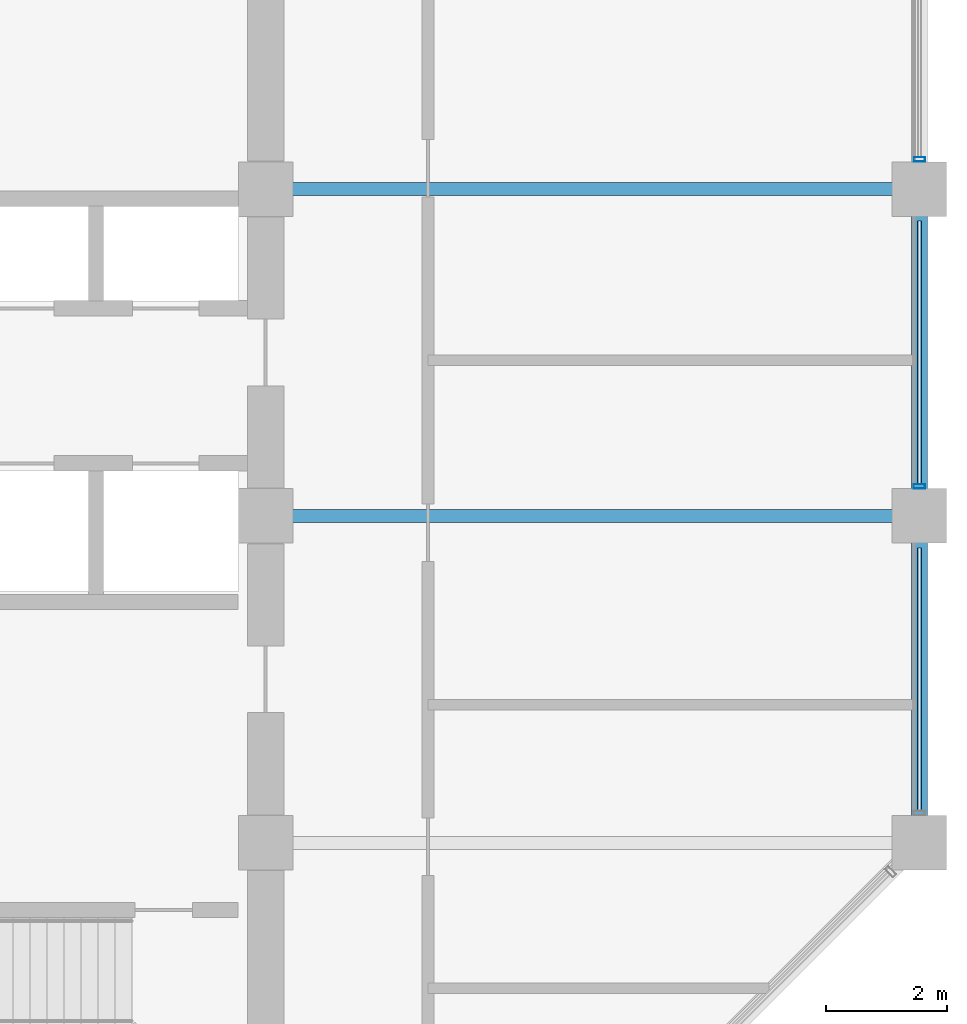
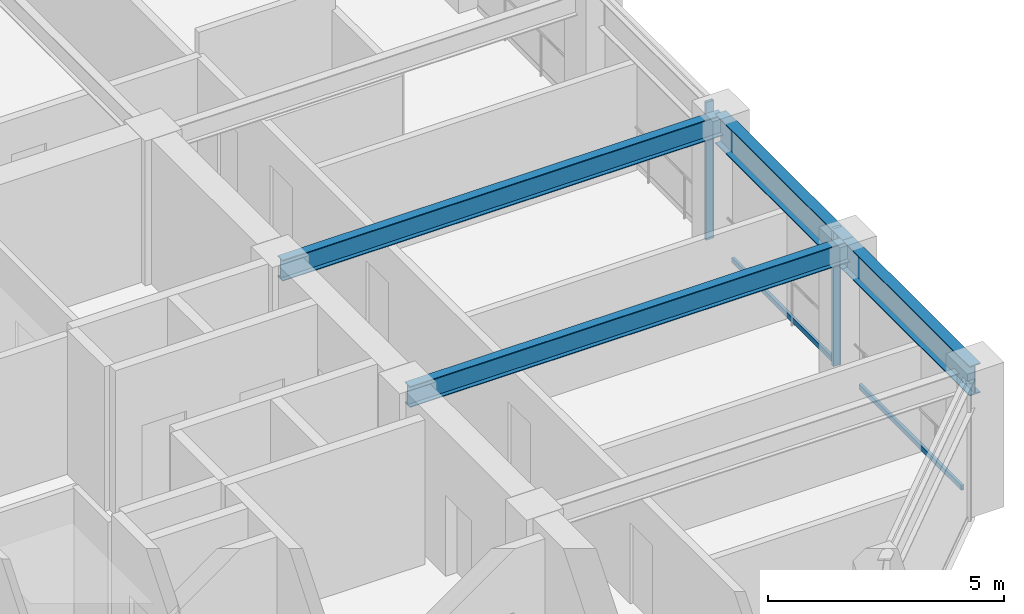
# One storey, part 13 of 36: 4 beams, 4 members, 1 element without a shape of its own.
"""IFC4 building model written with IfcOpenShell, lengths in metres."""

from ifc_helpers import new_model, si_unit, direction, frame, origin, origin_2d, place, context, subcontext, project, spatial, hollow_rectangle, i_section, extrude, material, layer, layer_set, material_profile, profile_set, type_object, element, aggregate, save


model = new_model("IFC4")

# Units and contexts
model_context = context("Model", 3, precision=1e-05, world=origin(), true_north=direction((0.0, 1.0)))
body_context = subcontext(model_context, "Body", "Model", "MODEL_VIEW")
ifc_project = project(units=[si_unit("LENGTHUNIT", "METRE"), si_unit("AREAUNIT", "SQUARE_METRE"), si_unit("VOLUMEUNIT", "CUBIC_METRE"), si_unit("PLANEANGLEUNIT", "RADIAN"), si_unit("MASSUNIT", "GRAM", prefix="KILO")], contexts=[model_context])

# Site, building, storey
site_placement = place(None, origin())
site = spatial("IfcSite", under=ifc_project, at=site_placement, CompositionType="ELEMENT")
building_placement = place(site_placement, origin())
building = spatial("IfcBuilding", under=site, at=building_placement, Name="Surkhivell Harbour Commons", CompositionType="ELEMENT")
storey_placement = place(building_placement, frame((0.0, 0.0, 171.0)))
storey = spatial("IfcBuildingStorey", under=building, at=storey_placement, Name="L44", CompositionType="ELEMENT", Elevation=171.0)

# Beams
ifc_material_1 = material(Name="Steel S355", Category="steel")
ifc_material_profile_1 = material_profile(ifc_material_1, i_section(OverallWidth=0.2119140625, OverallDepth=0.5439453125, WebThickness=0.0126953125, FlangeThickness=0.021240234375, at=origin_2d()), Name="UB533x210x122")
ifc_profile_set_1 = profile_set([ifc_material_profile_1], Name="Steel S355")
beam_type_1 = type_object("IfcBeamType", Name="BM-GRD-533A", PredefinedType="BEAM", material=ifc_profile_set_1)
for number, where, z_axis, x_axis, name in (
    (1, (10.800048828125, 0.0, 3.298095703125), (1.0, 0.0, 0.0), (0.0, 1.0, 0.0), "L44 Floor Girder (10.8,0.0)"),
    (2, (10.800048828125, 5.39990234375, 3.298095703125), (1.0, 0.0, 0.0), (0.0, 1.0, 0.0), "L44 Floor Girder (10.8,5.4)"),
):
    element("IfcBeam", number, at=place(storey_placement, frame(where, z_axis=z_axis, x_axis=x_axis)), inside=storey, type_object=beam_type_1, Name=name, PredefinedType="BEAM", context=body_context, shape_type="SweptSolid", body=[
        extrude(i_section(OverallWidth=0.2119140625, OverallDepth=0.5439453125, WebThickness=0.0126953125, FlangeThickness=0.021240234375, at=origin_2d()), origin(), (0.0, 0.0, 1.0), 10.800048828125),
    ])
ifc_material_profile_2 = material_profile(ifc_material_1, i_section(OverallWidth=0.26806640625, OverallDepth=0.77001953125, WebThickness=0.015625, FlangeThickness=0.025390625, at=origin_2d()), Name="UB762x267x197")
ifc_profile_set_2 = profile_set([ifc_material_profile_2], Name="Steel S355")
beam_type_2 = type_object("IfcBeamType", Name="BM-SPN-762", PredefinedType="SPANDREL", material=ifc_profile_set_2)
for number, where, z_axis, x_axis, name in (
    (3, (21.60009765625, -5.39990234375, 3.18505859375), (0.0, 1.0, 0.0), (-1.0, 0.0, 0.0), "L44 Tube Spandrel (21.6,-5.4)"),
    (4, (21.60009765625, 0.0, 3.18505859375), (0.0, 1.0, 0.0), (-1.0, 0.0, 0.0), "L44 Tube Spandrel (21.6,0.0)"),
):
    element("IfcBeam", number, at=place(storey_placement, frame(where, z_axis=z_axis, x_axis=x_axis)), inside=storey, type_object=beam_type_2, Name=name, PredefinedType="SPANDREL", context=body_context, shape_type="SweptSolid", body=[
        extrude(i_section(OverallWidth=0.26806640625, OverallDepth=0.77001953125, WebThickness=0.015625, FlangeThickness=0.025390625, at=origin_2d()), origin(), (0.0, 0.0, 1.0), 5.39990234375),
    ])

# Curtain wall, members
ifc_material_2 = material(Name="Anodised pale-metal aluminium and insulated glazing", Category="aluminium")
ifc_layer = layer(ifc_material_2, 0.18994140625)
ifc_layer_set = layer_set([ifc_layer], Name="Anodised pale-metal aluminium and insulated glazing")
curtain_wall_type = type_object("IfcCurtainWallType", Name="CW-SYS-Z3", PredefinedType="NOTDEFINED", material=ifc_layer_set)
curtain_wall_placement = place(storey_placement, origin())
curtain_wall = element("IfcCurtainWall", 5, at=curtain_wall_placement, inside=storey, type_object=curtain_wall_type, Name="L44 Curtain Wall CW-L44-E02", PredefinedType="NOTDEFINED")
ifc_material_3 = material(Name="Anodised pale-metal aluminium alloy 6063-T6", Category="aluminium")
ifc_material_profile_3 = material_profile(ifc_material_3, hollow_rectangle(XDim=0.074951171875, YDim=0.18994140625, WallThickness=0.00390625, at=origin_2d()), Name="ALU-MULL-75x190")
ifc_profile_set_3 = profile_set([ifc_material_profile_3], Name="Anodised pale-metal aluminium alloy 6063-T6")
member_type_1 = type_object("IfcMemberType", Name="CWM-190", PredefinedType="MULLION", material=ifc_profile_set_3)
member_1_placement = place(storey_placement, frame((21.60009765625, 0.489501953125, 0.0), z_axis=(0.0, 0.0, 1.0), x_axis=(0.0, 1.0, 0.0)))
member_1 = element("IfcMember", 6, at=member_1_placement, type_object=member_type_1, Name="CW-Z3 mullion 2", PredefinedType="MULLION", context=body_context, shape_type="SweptSolid", body=[
    extrude(hollow_rectangle(XDim=0.074951171875, YDim=0.18994140625, WallThickness=0.00390625, at=origin_2d()), origin(), (0.0, 0.0, 1.0), 3.570068359375),
])
member_2_placement = place(storey_placement, frame((21.60009765625, 5.889404296875, 0.0), z_axis=(0.0, 0.0, 1.0), x_axis=(0.0, 1.0, 0.0)))
member_2 = element("IfcMember", 7, at=member_2_placement, type_object=member_type_1, Name="CW-Z3 mullion 3", PredefinedType="MULLION", context=body_context, shape_type="SweptSolid", body=[
    extrude(hollow_rectangle(XDim=0.074951171875, YDim=0.18994140625, WallThickness=0.00390625, at=origin_2d()), origin(), (0.0, 0.0, 1.0), 3.570068359375),
])
ifc_material_4 = material(Name="Champagne anodised aluminium alloy 6063-T6", Category="aluminium")
ifc_material_profile_4 = material_profile(ifc_material_4, hollow_rectangle(XDim=0.070068359375, YDim=0.1298828125, WallThickness=0.00341796875, at=origin_2d()), Name="ALU-TRAN-70x130")
ifc_profile_set_4 = profile_set([ifc_material_profile_4], Name="Champagne anodised aluminium alloy 6063-T6")
member_type_2 = type_object("IfcMemberType", Name="CWT-130", PredefinedType="USERDEFINED", material=ifc_profile_set_4)
member_3_placement = place(storey_placement, frame((21.60009765625, -4.873046875, 0.06494140625), z_axis=(0.0, 1.0, 0.0), x_axis=(-1.0, 0.0, 0.0)))
member_3 = element("IfcMember", 8, at=member_3_placement, type_object=member_type_2, Name="CW-Z3 transom 1.1", ObjectType="TRANSOM", PredefinedType="USERDEFINED", context=body_context, shape_type="SweptSolid", body=[
    extrude(hollow_rectangle(XDim=0.070068359375, YDim=0.1298828125, WallThickness=0.00341796875, at=origin_2d()), origin(), (0.0, 0.0, 1.0), 4.345947265625),
])
member_4_placement = place(storey_placement, frame((21.60009765625, 0.527099609375, 0.06494140625), z_axis=(0.0, 1.0, 0.0), x_axis=(-1.0, 0.0, 0.0)))
member_4 = element("IfcMember", 9, at=member_4_placement, type_object=member_type_2, Name="CW-Z3 transom 2.1", ObjectType="TRANSOM", PredefinedType="USERDEFINED", context=body_context, shape_type="SweptSolid", body=[
    extrude(hollow_rectangle(XDim=0.070068359375, YDim=0.1298828125, WallThickness=0.00341796875, at=origin_2d()), origin(), (0.0, 0.0, 1.0), 4.345947265625),
])
aggregate(curtain_wall, [member_3, member_1, member_4, member_2])

save(model, "model.ifc")
